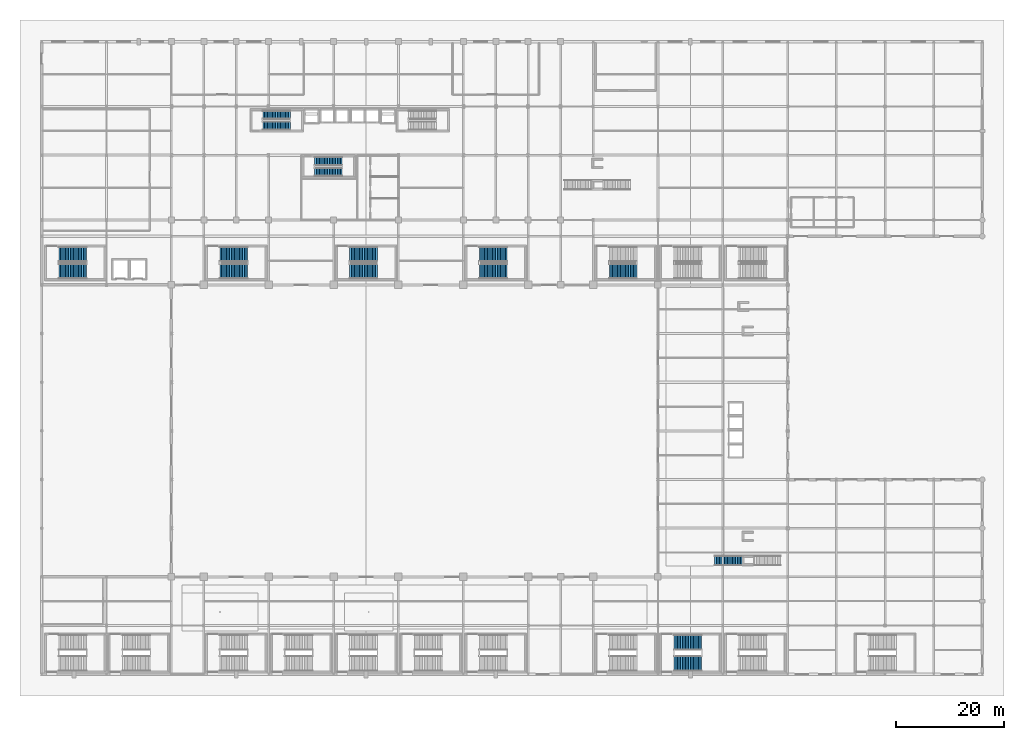
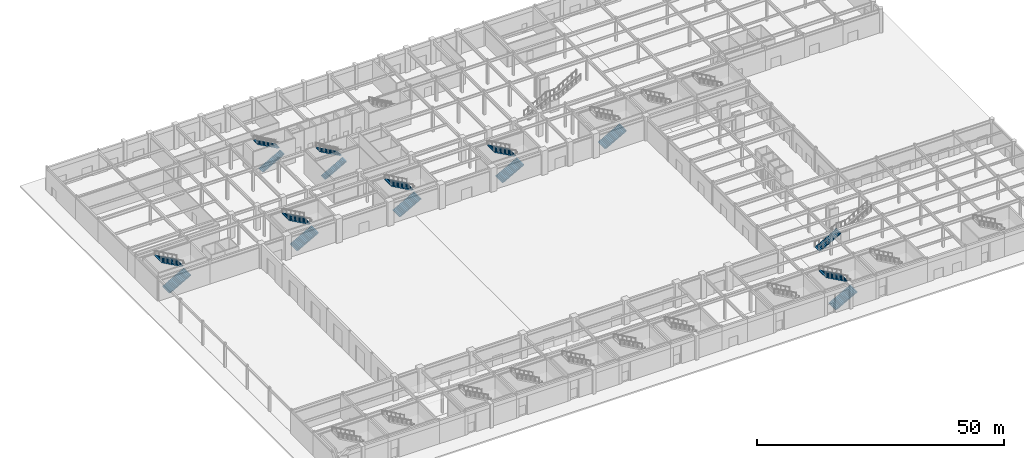
# One storey, part 32 of 44: 16 stair flights, 9 elements without a shape of their own.
"""IFC4 building model written with IfcOpenShell, lengths in metres."""

import ifcopenshell
import ifcopenshell.guid

model = None  # the IFC model being written
_history = None  # IfcOwnerHistory: only IFC2X3 demands one
_inside = {}  # id of a spatial element -> (the spatial element, [elements in it])
_under = {}  # id of a project, library or spatial element -> (it, [spatial elements below it])
_declared = {}  # id of a project -> (the project, [libraries it declares])
_typed = {}  # id of a type object -> (the type object, [elements of that type])
_made_of = {}  # id of a material, layer set ... -> (it, [elements and type objects made of it])


def new_model(schema):
    """Start an empty IFC model of exactly this schema.

    Asked for "IFC4X3", IfcOpenShell would pick the latest addendum, in which some entities
    have other attributes; the version numbers below select the first issue.
    IFC2X3 requires an IfcOwnerHistory on every rooted entity: one is made here for all.
    """
    global model, _history
    if schema == "IFC4X3":
        model = ifcopenshell.file(schema_version=(4, 3, 0, 0))
    else:
        model = ifcopenshell.file(schema=schema)
    _inside.clear()
    _under.clear()
    _declared.clear()
    _typed.clear()
    _made_of.clear()
    _history = None
    if model.schema == "IFC2X3":
        org = make("IfcOrganization", Name="unknown")
        user = make(
            "IfcPersonAndOrganization",
            ThePerson=make("IfcPerson", FamilyName="unknown"),
            TheOrganization=org,
        )
        app = make(
            "IfcApplication",
            ApplicationDeveloper=org,
            Version="unknown",
            ApplicationFullName="unknown",
            ApplicationIdentifier="unknown",
        )
        _history = make(
            "IfcOwnerHistory",
            OwningUser=user,
            OwningApplication=app,
            ChangeAction="ADDED",
            CreationDate=0,
        )
    return model


def make(cls, **values):
    """One entity of the class cls with the attributes given. An attribute that is None is left unset."""
    return model.create_entity(
        cls, **{name: value for name, value in values.items() if value is not None}
    )


def rooted(cls, **values):
    """An entity with a GlobalId (a new one), such as an element, a storey or a relation."""
    return make(cls, GlobalId=ifcopenshell.guid.new(), OwnerHistory=_history, **values)


def si_unit(unit_type, name, prefix=None):
    """IfcSIUnit, for example si_unit("LENGTHUNIT", "METRE", prefix="MILLI")."""
    return make("IfcSIUnit", UnitType=unit_type, Prefix=prefix, Name=name)


def assignment(units):
    """IfcUnitAssignment: the units of a project."""
    return None if units is None else make("IfcUnitAssignment", Units=units)


def point(xyz):
    """IfcCartesianPoint."""
    return None if xyz is None else make("IfcCartesianPoint", Coordinates=xyz)


def direction(xyz):
    """IfcDirection."""
    return None if xyz is None else make("IfcDirection", DirectionRatios=xyz)


def frame(location, z_axis=None, x_axis=None):
    """IfcAxis2Placement3D, a coordinate frame: its origin and axes. An axis left out is left unset."""
    return make(
        "IfcAxis2Placement3D",
        Location=point(location),
        Axis=direction(z_axis),
        RefDirection=direction(x_axis),
    )


def origin():
    """The frame at (0, 0, 0) with its axes left unset."""
    return frame((0.0, 0.0, 0.0))


def place(relative_to, where):
    """IfcLocalPlacement: puts the frame where relative to a parent placement (None: the world)."""
    return make(
        "IfcLocalPlacement", PlacementRelTo=relative_to, RelativePlacement=where
    )


def context(
    kind, dimensions, precision=None, world=None, true_north=None, identifier=None
):
    """IfcGeometricRepresentationContext, for example the 3D "Model" context."""
    return make(
        "IfcGeometricRepresentationContext",
        ContextIdentifier=identifier,
        ContextType=kind,
        CoordinateSpaceDimension=dimensions,
        Precision=precision,
        WorldCoordinateSystem=world,
        TrueNorth=true_north,
    )


def subcontext(parent, identifier, kind, view, scale=None):
    """IfcGeometricRepresentationSubContext, for example "Body" below "Model"."""
    return make(
        "IfcGeometricRepresentationSubContext",
        ContextIdentifier=identifier,
        ContextType=kind,
        ParentContext=parent,
        TargetScale=scale,
        TargetView=view,
    )


def project(units=None, contexts=None):
    """IfcProject with its units and contexts."""
    return rooted(
        "IfcProject",
        Name="project",
        RepresentationContexts=contexts,
        UnitsInContext=assignment(units),
    )


def spatial(cls, under=None, at=None, **own):
    """A site, building, storey or space (cls), placed at a placement, below another one or the project."""
    s = rooted(cls, ObjectPlacement=at, **own)
    if under is not None:
        _under.setdefault(under.id(), (under, []))[1].append(s)
    return s


def polyline(points):
    """IfcPolyline through the points."""
    return make("IfcPolyline", Points=[point(p) for p in points])


def outline(outer, holes=None, kind="AREA"):
    """IfcArbitraryClosedProfileDef: a profile drawn as a closed curve; with holes, ...WithVoids."""
    if holes is None:
        return make("IfcArbitraryClosedProfileDef", ProfileType=kind, OuterCurve=outer)
    return make(
        "IfcArbitraryProfileDefWithVoids",
        ProfileType=kind,
        OuterCurve=outer,
        InnerCurves=holes,
    )


def extrude(swept, where, along, depth):
    """IfcExtrudedAreaSolid: the profile swept, set in the frame where, extruded along a direction by depth."""
    return make(
        "IfcExtrudedAreaSolid",
        SweptArea=swept,
        Position=where,
        ExtrudedDirection=direction(along),
        Depth=depth,
    )


def shape(context_of_items, identifier, shape_type, items):
    """IfcShapeRepresentation: the items that make up one representation, for example the "Body"."""
    return make(
        "IfcShapeRepresentation",
        ContextOfItems=context_of_items,
        RepresentationIdentifier=identifier,
        RepresentationType=shape_type,
        Items=items,
    )


def material(Name=None, Category=None):
    """IfcMaterial."""
    return make("IfcMaterial", Name=Name, Category=Category)


def made_of(thing, what):
    """Note that an element or type object is made of a material, layer set ...; save() writes the relation."""
    if what is not None:
        _made_of.setdefault(what.id(), (what, []))[1].append(thing)
    return thing


def type_object(cls, material=None, **own):
    """A type object (cls), such as IfcWallType, which elements share."""
    return made_of(rooted(cls, **own), material)


def element(
    cls,
    number,
    at=None,
    inside=None,
    cuts=None,
    type_object=None,
    material=None,
    context=None,
    identifier="Body",
    shape_type=None,
    held_by="IfcProductDefinitionShape",
    body=None,
    shapes=None,
    **own,
):
    """One element of the class cls, such as IfcWall. Its Tag is "e" and its number.

    at: its placement. inside: the storey or other place that contains it. cuts: it is an
    opening in that element (IfcRelVoidsElement). A single representation is given by context,
    identifier, shape_type and body (its items); several are given by shapes. held_by: the class
    of the entity that holds the representations. save() writes the other relations.
    """
    e = rooted(cls, Tag="e%d" % number, ObjectPlacement=at, **own)
    if body is not None:
        shapes = [shape(context, identifier, shape_type, body)]
    if shapes is not None:
        e.Representation = make(held_by, Representations=shapes)
    if inside is not None:
        _inside.setdefault(inside.id(), (inside, []))[1].append(e)
    if cuts is not None:
        rooted(
            "IfcRelVoidsElement", RelatingBuildingElement=cuts, RelatedOpeningElement=e
        )
    if type_object is not None:
        _typed.setdefault(type_object.id(), (type_object, []))[1].append(e)
    return made_of(e, material)


def aggregate(whole, parts):
    """IfcRelAggregates: a whole, such as a stair, and the parts it consists of."""
    return rooted("IfcRelAggregates", RelatingObject=whole, RelatedObjects=parts)


def save(model, path):
    """Write the relations noted so far, then the file.

    IfcRelAggregates (storeys below a building ...), IfcRelContainedInSpatialStructure (elements
    in a storey), IfcRelDefinesByType, IfcRelAssociatesMaterial and IfcRelDeclares: one each for
    every whole, place, type object, material and project.
    """
    for whole, parts in _under.values():
        aggregate(whole, parts)
    for where, things in _inside.values():
        rooted(
            "IfcRelContainedInSpatialStructure",
            RelatedElements=things,
            RelatingStructure=where,
        )
    for kind, things in _typed.values():
        rooted("IfcRelDefinesByType", RelatedObjects=things, RelatingType=kind)
    for what, things in _made_of.values():
        rooted("IfcRelAssociatesMaterial", RelatedObjects=things, RelatingMaterial=what)
    for by, libraries in _declared.values():
        rooted("IfcRelDeclares", RelatingContext=by, RelatedDefinitions=libraries)
    model.write(path)


model = new_model("IFC4")

# Units and contexts
model_context = context("Model", 3, precision=1e-05, world=origin(), true_north=direction((0.0, 1.0)))
body_context = subcontext(model_context, "Body", "Model", "MODEL_VIEW")
ifc_project = project(units=[si_unit("LENGTHUNIT", "METRE"), si_unit("AREAUNIT", "SQUARE_METRE"), si_unit("VOLUMEUNIT", "CUBIC_METRE"), si_unit("PLANEANGLEUNIT", "RADIAN"), si_unit("MASSUNIT", "GRAM", prefix="KILO")], contexts=[model_context])

# Site, building, storey
site_placement = place(None, origin())
site = spatial("IfcSite", under=ifc_project, at=site_placement, CompositionType="ELEMENT")
building_placement = place(site_placement, origin())
building = spatial("IfcBuilding", under=site, at=building_placement, Name="Kaldorvane Square Convention Centre", CompositionType="ELEMENT")
storey_placement = place(building_placement, origin())
storey = spatial("IfcBuildingStorey", under=building, at=storey_placement, Name="L00", CompositionType="ELEMENT", Elevation=0.0)

# Stair, stair flight
ifc_material_1 = material(Name="Steel ASTM A500 Gr. C", Category="steel")
stair_type_1 = type_object("IfcStairType", Name="ST-STR-1800-6000", PredefinedType="STRAIGHT_RUN_STAIR", material=ifc_material_1)
stair_1_placement = place(storey_placement, origin())
stair_1 = element("IfcStair", 1, at=stair_1_placement, inside=storey, type_object=stair_type_1, Name="East Foyer Grand Stair F1 (L00)", PredefinedType="STRAIGHT_RUN_STAIR")
stair_flight_type_1 = type_object("IfcStairFlightType", Name="SF-FEAT-1800-18R", PredefinedType="STRAIGHT", material=ifc_material_1)
stair_flight_1_placement = place(storey_placement, frame((124.47999572753906, 21.0, 0.0), z_axis=(0.0, 0.0, 1.0), x_axis=(1.0, 0.0, 0.0)))
stair_flight_1 = element("IfcStairFlight", 2, at=stair_flight_1_placement, type_object=stair_flight_type_1, Name="East Foyer Grand Stair F1 Lower Flight (L00)", NumberOfRisers=18, NumberOfTreads=17, PredefinedType="STRAIGHT", RiserHeight=0.166666667, TreadLength=0.3, context=body_context, shape_type="SweptSolid", body=[
    extrude(outline(polyline([(0.0, 0.0), (0.0, 0.1666717529296875), (0.3000030517578125, 0.1666717529296875), (0.3000030517578125, 0.3333282470703125), (0.600006103515625, 0.3333282470703125), (0.600006103515625, 0.5), (0.899993896484375, 0.5), (0.899993896484375, 0.6666717529296875), (1.1999969482421875, 0.6666717529296875), (1.1999969482421875, 0.8333282470703125), (1.5, 0.8333282470703125), (1.5, 1.0), (1.8000030517578125, 1.0), (1.8000030517578125, 1.1666717529296875), (2.100006103515625, 1.1666717529296875), (2.100006103515625, 1.3333282470703125), (2.399993896484375, 1.3333282470703125), (2.399993896484375, 1.5), (2.6999969482421875, 1.5), (2.6999969482421875, 1.6666717529296875), (3.0, 1.6666717529296875), (3.0, 1.8333282470703125), (3.3000030517578125, 1.8333282470703125), (3.3000030517578125, 2.0), (3.600006103515625, 2.0), (3.600006103515625, 2.1666717529296875), (3.899993896484375, 2.1666717529296875), (3.899993896484375, 2.3333282470703125), (4.1999969482421875, 2.3333282470703125), (4.1999969482421875, 2.5), (4.5, 2.5), (4.5, 2.6666717529296875), (4.8000030517578125, 2.6666717529296875), (4.8000030517578125, 2.8333282470703125), (5.100006103515625, 2.8333282470703125), (5.100006103515625, 3.0), (5.100006103515625, 2.6045379638671875), (0.4118194580078125, 0.0), (0.0, 0.0)])), frame((0.0, 0.899993896484375, 0.0), z_axis=(0.0, -1.0, 0.0), x_axis=(1.0, 0.0, 0.0)), (0.0, 0.0, 1.0), 1.8000030517578125),
])
aggregate(stair_1, [stair_flight_1])

# Stair, stair flights
ifc_material_2 = material(Name="Concrete f'c = 42 MPa (Normalweight)", Category="concrete")
stair_type_2 = type_object("IfcStairType", Name="ST-DL-1600-6000", PredefinedType="HALF_TURN_STAIR", material=ifc_material_2)
stair_2_placement = place(storey_placement, origin())
stair_2 = element("IfcStair", 3, at=stair_2_placement, inside=storey, type_object=stair_type_2, Name="Tower Exit Stair T1 (L00)", PredefinedType="HALF_TURN_STAIR")
stair_flight_type_2 = type_object("IfcStairFlightType", Name="SF-STR-1600-18R", PredefinedType="STRAIGHT", material=ifc_material_2)
stair_flight_2_placement = place(storey_placement, frame((40.899993896484375, 101.41000366210938, 0.0), z_axis=(0.0, 0.0, 1.0), x_axis=(1.0, 0.0, 0.0)))
stair_flight_2 = element("IfcStairFlight", 4, at=stair_flight_2_placement, type_object=stair_flight_type_2, Name="Tower Exit Stair T1 Flight 1 (L00)", NumberOfRisers=18, NumberOfTreads=17, PredefinedType="STRAIGHT", RiserHeight=0.166666667, TreadLength=0.3, context=body_context, shape_type="SweptSolid", body=[
    extrude(outline(polyline([(0.0, 0.0), (0.0, 0.1666717529296875), (0.3000030517578125, 0.1666717529296875), (0.3000030517578125, 0.3333282470703125), (0.600006103515625, 0.3333282470703125), (0.600006103515625, 0.5), (0.899993896484375, 0.5), (0.899993896484375, 0.6666717529296875), (1.1999969482421875, 0.6666717529296875), (1.1999969482421875, 0.8333282470703125), (1.5, 0.8333282470703125), (1.5, 1.0), (1.8000030517578125, 1.0), (1.8000030517578125, 1.1666717529296875), (2.100006103515625, 1.1666717529296875), (2.100006103515625, 1.3333282470703125), (2.399993896484375, 1.3333282470703125), (2.399993896484375, 1.5), (2.6999969482421875, 1.5), (2.6999969482421875, 1.6666717529296875), (3.0, 1.6666717529296875), (3.0, 1.8333282470703125), (3.3000030517578125, 1.8333282470703125), (3.3000030517578125, 2.0), (3.600006103515625, 2.0), (3.600006103515625, 2.1666717529296875), (3.899993896484375, 2.1666717529296875), (3.899993896484375, 2.3333282470703125), (4.1999969482421875, 2.3333282470703125), (4.1999969482421875, 2.5), (4.5, 2.5), (4.5, 2.6666717529296875), (4.8000030517578125, 2.6666717529296875), (4.8000030517578125, 2.8333282470703125), (5.100006103515625, 2.8333282470703125), (5.100006103515625, 3.0), (5.100006103515625, 2.6045379638671875), (0.4118194580078125, 0.0), (0.0, 0.0)])), frame((0.0, 0.8000030517578125, 0.0), z_axis=(0.0, -1.0, 0.0), x_axis=(1.0, 0.0, 0.0)), (0.0, 0.0, 1.0), 1.600006103515625),
])
stair_flight_3_placement = place(storey_placement, frame((46.0, 103.44999694824219, 3.0), z_axis=(0.0, 0.0, 1.0), x_axis=(-1.0, 0.0, 0.0)))
stair_flight_3 = element("IfcStairFlight", 5, at=stair_flight_3_placement, type_object=stair_flight_type_2, Name="Tower Exit Stair T1 Flight 2 (L00)", NumberOfRisers=18, NumberOfTreads=17, PredefinedType="STRAIGHT", RiserHeight=0.166666667, TreadLength=0.3, context=body_context, shape_type="SweptSolid", body=[
    extrude(outline(polyline([(0.0, 0.0), (0.0, 0.1666717529296875), (0.3000030517578125, 0.1666717529296875), (0.3000030517578125, 0.3333282470703125), (0.600006103515625, 0.3333282470703125), (0.600006103515625, 0.5), (0.899993896484375, 0.5), (0.899993896484375, 0.6666717529296875), (1.1999969482421875, 0.6666717529296875), (1.1999969482421875, 0.8333282470703125), (1.5, 0.8333282470703125), (1.5, 1.0), (1.8000030517578125, 1.0), (1.8000030517578125, 1.1666717529296875), (2.100006103515625, 1.1666717529296875), (2.100006103515625, 1.3333282470703125), (2.399993896484375, 1.3333282470703125), (2.399993896484375, 1.5), (2.6999969482421875, 1.5), (2.6999969482421875, 1.6666717529296875), (3.0, 1.6666717529296875), (3.0, 1.8333282470703125), (3.3000030517578125, 1.8333282470703125), (3.3000030517578125, 2.0), (3.600006103515625, 2.0), (3.600006103515625, 2.1666717529296875), (3.899993896484375, 2.1666717529296875), (3.899993896484375, 2.3333282470703125), (4.1999969482421875, 2.3333282470703125), (4.1999969482421875, 2.5), (4.5, 2.5), (4.5, 2.6666717529296875), (4.8000030517578125, 2.6666717529296875), (4.8000030517578125, 2.8333282470703125), (5.100006103515625, 2.8333282470703125), (5.100006103515625, 3.0), (5.100006103515625, 2.6045379638671875), (0.4118194580078125, 0.0), (0.0, 0.0)])), frame((0.0, 0.8000030517578125, 0.0), z_axis=(0.0, -1.0, 0.0), x_axis=(1.0, 0.0, 0.0)), (0.0, 0.0, 1.0), 1.600006103515625),
])
aggregate(stair_2, [stair_flight_2, stair_flight_3])

stair_3_placement = place(storey_placement, origin())
stair_3 = element("IfcStair", 6, at=stair_3_placement, inside=storey, type_object=stair_type_2, Name="Tower Exit Stair T3 (L00)", PredefinedType="HALF_TURN_STAIR")
stair_flight_4_placement = place(storey_placement, frame((50.5, 92.86000061035156, 0.0), z_axis=(0.0, 0.0, 1.0), x_axis=(1.0, 0.0, 0.0)))
stair_flight_4 = element("IfcStairFlight", 7, at=stair_flight_4_placement, type_object=stair_flight_type_2, Name="Tower Exit Stair T3 Flight 1 (L00)", NumberOfRisers=18, NumberOfTreads=17, PredefinedType="STRAIGHT", RiserHeight=0.166666667, TreadLength=0.3, context=body_context, shape_type="SweptSolid", body=[
    extrude(outline(polyline([(0.0, 0.0), (0.0, 0.1666717529296875), (0.3000030517578125, 0.1666717529296875), (0.3000030517578125, 0.3333282470703125), (0.600006103515625, 0.3333282470703125), (0.600006103515625, 0.5), (0.899993896484375, 0.5), (0.899993896484375, 0.6666717529296875), (1.1999969482421875, 0.6666717529296875), (1.1999969482421875, 0.8333282470703125), (1.5, 0.8333282470703125), (1.5, 1.0), (1.8000030517578125, 1.0), (1.8000030517578125, 1.1666717529296875), (2.100006103515625, 1.1666717529296875), (2.100006103515625, 1.3333282470703125), (2.399993896484375, 1.3333282470703125), (2.399993896484375, 1.5), (2.6999969482421875, 1.5), (2.6999969482421875, 1.6666717529296875), (3.0, 1.6666717529296875), (3.0, 1.8333282470703125), (3.3000030517578125, 1.8333282470703125), (3.3000030517578125, 2.0), (3.600006103515625, 2.0), (3.600006103515625, 2.1666717529296875), (3.899993896484375, 2.1666717529296875), (3.899993896484375, 2.3333282470703125), (4.1999969482421875, 2.3333282470703125), (4.1999969482421875, 2.5), (4.5, 2.5), (4.5, 2.6666717529296875), (4.8000030517578125, 2.6666717529296875), (4.8000030517578125, 2.8333282470703125), (5.100006103515625, 2.8333282470703125), (5.100006103515625, 3.0), (5.100006103515625, 2.6045379638671875), (0.4118194580078125, 0.0), (0.0, 0.0)])), frame((0.0, 0.8000030517578125, 0.0), z_axis=(0.0, -1.0, 0.0), x_axis=(1.0, 0.0, 0.0)), (0.0, 0.0, 1.0), 1.600006103515625),
])
stair_flight_5_placement = place(storey_placement, frame((55.600006103515625, 94.89999389648438, 3.0), z_axis=(0.0, 0.0, 1.0), x_axis=(-1.0, 0.0, 0.0)))
stair_flight_5 = element("IfcStairFlight", 8, at=stair_flight_5_placement, type_object=stair_flight_type_2, Name="Tower Exit Stair T3 Flight 2 (L00)", NumberOfRisers=18, NumberOfTreads=17, PredefinedType="STRAIGHT", RiserHeight=0.166666667, TreadLength=0.3, context=body_context, shape_type="SweptSolid", body=[
    extrude(outline(polyline([(0.0, 0.0), (0.0, 0.1666717529296875), (0.3000030517578125, 0.1666717529296875), (0.3000030517578125, 0.3333282470703125), (0.600006103515625, 0.3333282470703125), (0.600006103515625, 0.5), (0.899993896484375, 0.5), (0.899993896484375, 0.6666717529296875), (1.1999969482421875, 0.6666717529296875), (1.1999969482421875, 0.8333282470703125), (1.5, 0.8333282470703125), (1.5, 1.0), (1.8000030517578125, 1.0), (1.8000030517578125, 1.1666717529296875), (2.100006103515625, 1.1666717529296875), (2.100006103515625, 1.3333282470703125), (2.399993896484375, 1.3333282470703125), (2.399993896484375, 1.5), (2.6999969482421875, 1.5), (2.6999969482421875, 1.6666717529296875), (3.0, 1.6666717529296875), (3.0, 1.8333282470703125), (3.3000030517578125, 1.8333282470703125), (3.3000030517578125, 2.0), (3.600006103515625, 2.0), (3.600006103515625, 2.1666717529296875), (3.899993896484375, 2.1666717529296875), (3.899993896484375, 2.3333282470703125), (4.1999969482421875, 2.3333282470703125), (4.1999969482421875, 2.5), (4.5, 2.5), (4.5, 2.6666717529296875), (4.8000030517578125, 2.6666717529296875), (4.8000030517578125, 2.8333282470703125), (5.100006103515625, 2.8333282470703125), (5.100006103515625, 3.0), (5.100006103515625, 2.6045379638671875), (0.4118194580078125, 0.0), (0.0, 0.0)])), frame((0.0, 0.8000030517578125, 0.0), z_axis=(0.0, -1.0, 0.0), x_axis=(1.0, 0.0, 0.0)), (0.0, 0.0, 1.0), 1.600006103515625),
])
aggregate(stair_3, [stair_flight_4, stair_flight_5])

stair_type_3 = type_object("IfcStairType", Name="ST-DL-2800-6000-D6710", PredefinedType="HALF_TURN_STAIR", material=ifc_material_2)
stair_4_placement = place(storey_placement, origin())
stair_4 = element("IfcStair", 9, at=stair_4_placement, inside=storey, type_object=stair_type_3, Name="Convention Exit Stair C9 (L00)", PredefinedType="HALF_TURN_STAIR")
stair_flight_type_3 = type_object("IfcStairFlightType", Name="SF-STR-2800-18R", PredefinedType="STRAIGHT", material=ifc_material_2)
stair_flight_6_placement = place(storey_placement, frame((116.99000549316406, 1.9499969482421875, 0.0), z_axis=(0.0, 0.0, 1.0), x_axis=(1.0, 0.0, 0.0)))
stair_flight_6 = element("IfcStairFlight", 10, at=stair_flight_6_placement, type_object=stair_flight_type_3, Name="Convention Exit Stair C9 Flight 1 (L00)", NumberOfRisers=18, NumberOfTreads=17, PredefinedType="STRAIGHT", RiserHeight=0.166666667, TreadLength=0.3, context=body_context, shape_type="SweptSolid", body=[
    extrude(outline(polyline([(0.0, 0.0), (0.0, 0.1666717529296875), (0.3000030517578125, 0.1666717529296875), (0.3000030517578125, 0.3333282470703125), (0.600006103515625, 0.3333282470703125), (0.600006103515625, 0.5), (0.899993896484375, 0.5), (0.899993896484375, 0.6666717529296875), (1.1999969482421875, 0.6666717529296875), (1.1999969482421875, 0.8333282470703125), (1.5, 0.8333282470703125), (1.5, 1.0), (1.8000030517578125, 1.0), (1.8000030517578125, 1.1666717529296875), (2.100006103515625, 1.1666717529296875), (2.100006103515625, 1.3333282470703125), (2.399993896484375, 1.3333282470703125), (2.399993896484375, 1.5), (2.6999969482421875, 1.5), (2.6999969482421875, 1.6666717529296875), (3.0, 1.6666717529296875), (3.0, 1.8333282470703125), (3.3000030517578125, 1.8333282470703125), (3.3000030517578125, 2.0), (3.600006103515625, 2.0), (3.600006103515625, 2.1666717529296875), (3.899993896484375, 2.1666717529296875), (3.899993896484375, 2.3333282470703125), (4.1999969482421875, 2.3333282470703125), (4.1999969482421875, 2.5), (4.5, 2.5), (4.5, 2.6666717529296875), (4.8000030517578125, 2.6666717529296875), (4.8000030517578125, 2.8333282470703125), (5.100006103515625, 2.8333282470703125), (5.100006103515625, 3.0), (5.100006103515625, 2.6045379638671875), (0.4118194580078125, 0.0), (0.0, 0.0)])), frame((0.0, 1.399993896484375, 0.0), z_axis=(0.0, -1.0, 0.0), x_axis=(1.0, 0.0, 0.0)), (0.0, 0.0, 1.0), 2.8000030517578125),
])
stair_flight_7_placement = place(storey_placement, frame((122.08999633789062, 5.8600006103515625, 3.0), z_axis=(0.0, 0.0, 1.0), x_axis=(-1.0, 0.0, 0.0)))
stair_flight_7 = element("IfcStairFlight", 11, at=stair_flight_7_placement, type_object=stair_flight_type_3, Name="Convention Exit Stair C9 Flight 2 (L00)", NumberOfRisers=18, NumberOfTreads=17, PredefinedType="STRAIGHT", RiserHeight=0.166666667, TreadLength=0.3, context=body_context, shape_type="SweptSolid", body=[
    extrude(outline(polyline([(0.0, 0.0), (0.0, 0.1666717529296875), (0.3000030517578125, 0.1666717529296875), (0.3000030517578125, 0.3333282470703125), (0.600006103515625, 0.3333282470703125), (0.600006103515625, 0.5), (0.899993896484375, 0.5), (0.899993896484375, 0.6666717529296875), (1.1999969482421875, 0.6666717529296875), (1.1999969482421875, 0.8333282470703125), (1.5, 0.8333282470703125), (1.5, 1.0), (1.8000030517578125, 1.0), (1.8000030517578125, 1.1666717529296875), (2.100006103515625, 1.1666717529296875), (2.100006103515625, 1.3333282470703125), (2.399993896484375, 1.3333282470703125), (2.399993896484375, 1.5), (2.6999969482421875, 1.5), (2.6999969482421875, 1.6666717529296875), (3.0, 1.6666717529296875), (3.0, 1.8333282470703125), (3.3000030517578125, 1.8333282470703125), (3.3000030517578125, 2.0), (3.600006103515625, 2.0), (3.600006103515625, 2.1666717529296875), (3.899993896484375, 2.1666717529296875), (3.899993896484375, 2.3333282470703125), (4.1999969482421875, 2.3333282470703125), (4.1999969482421875, 2.5), (4.5, 2.5), (4.5, 2.6666717529296875), (4.8000030517578125, 2.6666717529296875), (4.8000030517578125, 2.8333282470703125), (5.100006103515625, 2.8333282470703125), (5.100006103515625, 3.0), (5.100006103515625, 2.6045379638671875), (0.4118194580078125, 0.0), (0.0, 0.0)])), frame((0.0, 1.399993896484375, 0.0), z_axis=(0.0, -1.0, 0.0), x_axis=(1.0, 0.0, 0.0)), (0.0, 0.0, 1.0), 2.8000030517578125),
])
aggregate(stair_4, [stair_flight_6, stair_flight_7])

stair_type_4 = type_object("IfcStairType", Name="ST-DL-2800-6000", PredefinedType="HALF_TURN_STAIR", material=ifc_material_2)
stair_5_placement = place(storey_placement, origin())
stair_5 = element("IfcStair", 12, at=stair_5_placement, inside=storey, type_object=stair_type_4, Name="Convention Exit Stair C12 (L00)", PredefinedType="HALF_TURN_STAIR")
stair_flight_8_placement = place(storey_placement, frame((3.2100067138671875, 74.5, 0.0), z_axis=(0.0, 0.0, 1.0), x_axis=(1.0, 0.0, 0.0)))
stair_flight_8 = element("IfcStairFlight", 13, at=stair_flight_8_placement, type_object=stair_flight_type_3, Name="Convention Exit Stair C12 Flight 1 (L00)", NumberOfRisers=18, NumberOfTreads=17, PredefinedType="STRAIGHT", RiserHeight=0.166666667, TreadLength=0.3, context=body_context, shape_type="SweptSolid", body=[
    extrude(outline(polyline([(0.0, 0.0), (0.0, 0.1666717529296875), (0.3000030517578125, 0.1666717529296875), (0.3000030517578125, 0.3333282470703125), (0.600006103515625, 0.3333282470703125), (0.600006103515625, 0.5), (0.899993896484375, 0.5), (0.899993896484375, 0.6666717529296875), (1.1999969482421875, 0.6666717529296875), (1.1999969482421875, 0.8333282470703125), (1.5, 0.8333282470703125), (1.5, 1.0), (1.8000030517578125, 1.0), (1.8000030517578125, 1.1666717529296875), (2.100006103515625, 1.1666717529296875), (2.100006103515625, 1.3333282470703125), (2.399993896484375, 1.3333282470703125), (2.399993896484375, 1.5), (2.6999969482421875, 1.5), (2.6999969482421875, 1.6666717529296875), (3.0, 1.6666717529296875), (3.0, 1.8333282470703125), (3.3000030517578125, 1.8333282470703125), (3.3000030517578125, 2.0), (3.600006103515625, 2.0), (3.600006103515625, 2.1666717529296875), (3.899993896484375, 2.1666717529296875), (3.899993896484375, 2.3333282470703125), (4.1999969482421875, 2.3333282470703125), (4.1999969482421875, 2.5), (4.5, 2.5), (4.5, 2.6666717529296875), (4.8000030517578125, 2.6666717529296875), (4.8000030517578125, 2.8333282470703125), (5.100006103515625, 2.8333282470703125), (5.100006103515625, 3.0), (5.100006103515625, 2.6045379638671875), (0.4118194580078125, 0.0), (0.0, 0.0)])), frame((0.0, 1.399993896484375, 0.0), z_axis=(0.0, -1.0, 0.0), x_axis=(1.0, 0.0, 0.0)), (0.0, 0.0, 1.0), 2.8000030517578125),
])
stair_flight_9_placement = place(storey_placement, frame((8.30999755859375, 77.66000366210938, 3.0), z_axis=(0.0, 0.0, 1.0), x_axis=(-1.0, 0.0, 0.0)))
stair_flight_9 = element("IfcStairFlight", 14, at=stair_flight_9_placement, type_object=stair_flight_type_3, Name="Convention Exit Stair C12 Flight 2 (L00)", NumberOfRisers=18, NumberOfTreads=17, PredefinedType="STRAIGHT", RiserHeight=0.166666667, TreadLength=0.3, context=body_context, shape_type="SweptSolid", body=[
    extrude(outline(polyline([(0.0, 0.0), (0.0, 0.1666717529296875), (0.3000030517578125, 0.1666717529296875), (0.3000030517578125, 0.3333282470703125), (0.600006103515625, 0.3333282470703125), (0.600006103515625, 0.5), (0.899993896484375, 0.5), (0.899993896484375, 0.6666717529296875), (1.1999969482421875, 0.6666717529296875), (1.1999969482421875, 0.8333282470703125), (1.5, 0.8333282470703125), (1.5, 1.0), (1.8000030517578125, 1.0), (1.8000030517578125, 1.1666717529296875), (2.100006103515625, 1.1666717529296875), (2.100006103515625, 1.3333282470703125), (2.399993896484375, 1.3333282470703125), (2.399993896484375, 1.5), (2.6999969482421875, 1.5), (2.6999969482421875, 1.6666717529296875), (3.0, 1.6666717529296875), (3.0, 1.8333282470703125), (3.3000030517578125, 1.8333282470703125), (3.3000030517578125, 2.0), (3.600006103515625, 2.0), (3.600006103515625, 2.1666717529296875), (3.899993896484375, 2.1666717529296875), (3.899993896484375, 2.3333282470703125), (4.1999969482421875, 2.3333282470703125), (4.1999969482421875, 2.5), (4.5, 2.5), (4.5, 2.6666717529296875), (4.8000030517578125, 2.6666717529296875), (4.8000030517578125, 2.8333282470703125), (5.100006103515625, 2.8333282470703125), (5.100006103515625, 3.0), (5.100006103515625, 2.6045379638671875), (0.4118194580078125, 0.0), (0.0, 0.0)])), frame((0.0, 1.399993896484375, 0.0), z_axis=(0.0, -1.0, 0.0), x_axis=(1.0, 0.0, 0.0)), (0.0, 0.0, 1.0), 2.8000030517578125),
])
aggregate(stair_5, [stair_flight_8, stair_flight_9])

stair_6_placement = place(storey_placement, origin())
stair_6 = element("IfcStair", 15, at=stair_6_placement, inside=storey, type_object=stair_type_4, Name="Convention Exit Stair C13 (L00)", PredefinedType="HALF_TURN_STAIR")
stair_flight_10_placement = place(storey_placement, frame((32.99000549316406, 74.5, 0.0), z_axis=(0.0, 0.0, 1.0), x_axis=(1.0, 0.0, 0.0)))
stair_flight_10 = element("IfcStairFlight", 16, at=stair_flight_10_placement, type_object=stair_flight_type_3, Name="Convention Exit Stair C13 Flight 1 (L00)", NumberOfRisers=18, NumberOfTreads=17, PredefinedType="STRAIGHT", RiserHeight=0.166666667, TreadLength=0.3, context=body_context, shape_type="SweptSolid", body=[
    extrude(outline(polyline([(0.0, 0.0), (0.0, 0.1666717529296875), (0.3000030517578125, 0.1666717529296875), (0.3000030517578125, 0.3333282470703125), (0.600006103515625, 0.3333282470703125), (0.600006103515625, 0.5), (0.899993896484375, 0.5), (0.899993896484375, 0.6666717529296875), (1.1999969482421875, 0.6666717529296875), (1.1999969482421875, 0.8333282470703125), (1.5, 0.8333282470703125), (1.5, 1.0), (1.8000030517578125, 1.0), (1.8000030517578125, 1.1666717529296875), (2.100006103515625, 1.1666717529296875), (2.100006103515625, 1.3333282470703125), (2.399993896484375, 1.3333282470703125), (2.399993896484375, 1.5), (2.6999969482421875, 1.5), (2.6999969482421875, 1.6666717529296875), (3.0, 1.6666717529296875), (3.0, 1.8333282470703125), (3.3000030517578125, 1.8333282470703125), (3.3000030517578125, 2.0), (3.600006103515625, 2.0), (3.600006103515625, 2.1666717529296875), (3.899993896484375, 2.1666717529296875), (3.899993896484375, 2.3333282470703125), (4.1999969482421875, 2.3333282470703125), (4.1999969482421875, 2.5), (4.5, 2.5), (4.5, 2.6666717529296875), (4.8000030517578125, 2.6666717529296875), (4.8000030517578125, 2.8333282470703125), (5.100006103515625, 2.8333282470703125), (5.100006103515625, 3.0), (5.100006103515625, 2.6045379638671875), (0.4118194580078125, 0.0), (0.0, 0.0)])), frame((0.0, 1.399993896484375, 0.0), z_axis=(0.0, -1.0, 0.0), x_axis=(1.0, 0.0, 0.0)), (0.0, 0.0, 1.0), 2.8000030517578125),
])
stair_flight_11_placement = place(storey_placement, frame((38.089996337890625, 77.66000366210938, 3.0), z_axis=(0.0, 0.0, 1.0), x_axis=(-1.0, 0.0, 0.0)))
stair_flight_11 = element("IfcStairFlight", 17, at=stair_flight_11_placement, type_object=stair_flight_type_3, Name="Convention Exit Stair C13 Flight 2 (L00)", NumberOfRisers=18, NumberOfTreads=17, PredefinedType="STRAIGHT", RiserHeight=0.166666667, TreadLength=0.3, context=body_context, shape_type="SweptSolid", body=[
    extrude(outline(polyline([(0.0, 0.0), (0.0, 0.1666717529296875), (0.3000030517578125, 0.1666717529296875), (0.3000030517578125, 0.3333282470703125), (0.600006103515625, 0.3333282470703125), (0.600006103515625, 0.5), (0.899993896484375, 0.5), (0.899993896484375, 0.6666717529296875), (1.1999969482421875, 0.6666717529296875), (1.1999969482421875, 0.8333282470703125), (1.5, 0.8333282470703125), (1.5, 1.0), (1.8000030517578125, 1.0), (1.8000030517578125, 1.1666717529296875), (2.100006103515625, 1.1666717529296875), (2.100006103515625, 1.3333282470703125), (2.399993896484375, 1.3333282470703125), (2.399993896484375, 1.5), (2.6999969482421875, 1.5), (2.6999969482421875, 1.6666717529296875), (3.0, 1.6666717529296875), (3.0, 1.8333282470703125), (3.3000030517578125, 1.8333282470703125), (3.3000030517578125, 2.0), (3.600006103515625, 2.0), (3.600006103515625, 2.1666717529296875), (3.899993896484375, 2.1666717529296875), (3.899993896484375, 2.3333282470703125), (4.1999969482421875, 2.3333282470703125), (4.1999969482421875, 2.5), (4.5, 2.5), (4.5, 2.6666717529296875), (4.8000030517578125, 2.6666717529296875), (4.8000030517578125, 2.8333282470703125), (5.100006103515625, 2.8333282470703125), (5.100006103515625, 3.0), (5.100006103515625, 2.6045379638671875), (0.4118194580078125, 0.0), (0.0, 0.0)])), frame((0.0, 1.399993896484375, 0.0), z_axis=(0.0, -1.0, 0.0), x_axis=(1.0, 0.0, 0.0)), (0.0, 0.0, 1.0), 2.8000030517578125),
])
aggregate(stair_6, [stair_flight_10, stair_flight_11])

stair_7_placement = place(storey_placement, origin())
stair_7 = element("IfcStair", 18, at=stair_7_placement, inside=storey, type_object=stair_type_4, Name="Convention Exit Stair C14 (L00)", PredefinedType="HALF_TURN_STAIR")
stair_flight_12_placement = place(storey_placement, frame((56.99000549316406, 74.5, 0.0), z_axis=(0.0, 0.0, 1.0), x_axis=(1.0, 0.0, 0.0)))
stair_flight_12 = element("IfcStairFlight", 19, at=stair_flight_12_placement, type_object=stair_flight_type_3, Name="Convention Exit Stair C14 Flight 1 (L00)", NumberOfRisers=18, NumberOfTreads=17, PredefinedType="STRAIGHT", RiserHeight=0.166666667, TreadLength=0.3, context=body_context, shape_type="SweptSolid", body=[
    extrude(outline(polyline([(0.0, 0.0), (0.0, 0.1666717529296875), (0.3000030517578125, 0.1666717529296875), (0.3000030517578125, 0.3333282470703125), (0.600006103515625, 0.3333282470703125), (0.600006103515625, 0.5), (0.899993896484375, 0.5), (0.899993896484375, 0.6666717529296875), (1.1999969482421875, 0.6666717529296875), (1.1999969482421875, 0.8333282470703125), (1.5, 0.8333282470703125), (1.5, 1.0), (1.8000030517578125, 1.0), (1.8000030517578125, 1.1666717529296875), (2.100006103515625, 1.1666717529296875), (2.100006103515625, 1.3333282470703125), (2.399993896484375, 1.3333282470703125), (2.399993896484375, 1.5), (2.6999969482421875, 1.5), (2.6999969482421875, 1.6666717529296875), (3.0, 1.6666717529296875), (3.0, 1.8333282470703125), (3.3000030517578125, 1.8333282470703125), (3.3000030517578125, 2.0), (3.600006103515625, 2.0), (3.600006103515625, 2.1666717529296875), (3.899993896484375, 2.1666717529296875), (3.899993896484375, 2.3333282470703125), (4.1999969482421875, 2.3333282470703125), (4.1999969482421875, 2.5), (4.5, 2.5), (4.5, 2.6666717529296875), (4.8000030517578125, 2.6666717529296875), (4.8000030517578125, 2.8333282470703125), (5.100006103515625, 2.8333282470703125), (5.100006103515625, 3.0), (5.100006103515625, 2.6045379638671875), (0.4118194580078125, 0.0), (0.0, 0.0)])), frame((0.0, 1.399993896484375, 0.0), z_axis=(0.0, -1.0, 0.0), x_axis=(1.0, 0.0, 0.0)), (0.0, 0.0, 1.0), 2.8000030517578125),
])
stair_flight_13_placement = place(storey_placement, frame((62.089996337890625, 77.66000366210938, 3.0), z_axis=(0.0, 0.0, 1.0), x_axis=(-1.0, 0.0, 0.0)))
stair_flight_13 = element("IfcStairFlight", 20, at=stair_flight_13_placement, type_object=stair_flight_type_3, Name="Convention Exit Stair C14 Flight 2 (L00)", NumberOfRisers=18, NumberOfTreads=17, PredefinedType="STRAIGHT", RiserHeight=0.166666667, TreadLength=0.3, context=body_context, shape_type="SweptSolid", body=[
    extrude(outline(polyline([(0.0, 0.0), (0.0, 0.1666717529296875), (0.3000030517578125, 0.1666717529296875), (0.3000030517578125, 0.3333282470703125), (0.600006103515625, 0.3333282470703125), (0.600006103515625, 0.5), (0.899993896484375, 0.5), (0.899993896484375, 0.6666717529296875), (1.1999969482421875, 0.6666717529296875), (1.1999969482421875, 0.8333282470703125), (1.5, 0.8333282470703125), (1.5, 1.0), (1.8000030517578125, 1.0), (1.8000030517578125, 1.1666717529296875), (2.100006103515625, 1.1666717529296875), (2.100006103515625, 1.3333282470703125), (2.399993896484375, 1.3333282470703125), (2.399993896484375, 1.5), (2.6999969482421875, 1.5), (2.6999969482421875, 1.6666717529296875), (3.0, 1.6666717529296875), (3.0, 1.8333282470703125), (3.3000030517578125, 1.8333282470703125), (3.3000030517578125, 2.0), (3.600006103515625, 2.0), (3.600006103515625, 2.1666717529296875), (3.899993896484375, 2.1666717529296875), (3.899993896484375, 2.3333282470703125), (4.1999969482421875, 2.3333282470703125), (4.1999969482421875, 2.5), (4.5, 2.5), (4.5, 2.6666717529296875), (4.8000030517578125, 2.6666717529296875), (4.8000030517578125, 2.8333282470703125), (5.100006103515625, 2.8333282470703125), (5.100006103515625, 3.0), (5.100006103515625, 2.6045379638671875), (0.4118194580078125, 0.0), (0.0, 0.0)])), frame((0.0, 1.399993896484375, 0.0), z_axis=(0.0, -1.0, 0.0), x_axis=(1.0, 0.0, 0.0)), (0.0, 0.0, 1.0), 2.8000030517578125),
])
aggregate(stair_7, [stair_flight_12, stair_flight_13])

stair_8_placement = place(storey_placement, origin())
stair_8 = element("IfcStair", 21, at=stair_8_placement, inside=storey, type_object=stair_type_4, Name="Convention Exit Stair C15 (L00)", PredefinedType="HALF_TURN_STAIR")
stair_flight_14_placement = place(storey_placement, frame((80.99000549316406, 74.5, 0.0), z_axis=(0.0, 0.0, 1.0), x_axis=(1.0, 0.0, 0.0)))
stair_flight_14 = element("IfcStairFlight", 22, at=stair_flight_14_placement, type_object=stair_flight_type_3, Name="Convention Exit Stair C15 Flight 1 (L00)", NumberOfRisers=18, NumberOfTreads=17, PredefinedType="STRAIGHT", RiserHeight=0.166666667, TreadLength=0.3, context=body_context, shape_type="SweptSolid", body=[
    extrude(outline(polyline([(0.0, 0.0), (0.0, 0.1666717529296875), (0.3000030517578125, 0.1666717529296875), (0.3000030517578125, 0.3333282470703125), (0.600006103515625, 0.3333282470703125), (0.600006103515625, 0.5), (0.899993896484375, 0.5), (0.899993896484375, 0.6666717529296875), (1.1999969482421875, 0.6666717529296875), (1.1999969482421875, 0.8333282470703125), (1.5, 0.8333282470703125), (1.5, 1.0), (1.8000030517578125, 1.0), (1.8000030517578125, 1.1666717529296875), (2.100006103515625, 1.1666717529296875), (2.100006103515625, 1.3333282470703125), (2.399993896484375, 1.3333282470703125), (2.399993896484375, 1.5), (2.6999969482421875, 1.5), (2.6999969482421875, 1.6666717529296875), (3.0, 1.6666717529296875), (3.0, 1.8333282470703125), (3.3000030517578125, 1.8333282470703125), (3.3000030517578125, 2.0), (3.600006103515625, 2.0), (3.600006103515625, 2.1666717529296875), (3.899993896484375, 2.1666717529296875), (3.899993896484375, 2.3333282470703125), (4.1999969482421875, 2.3333282470703125), (4.1999969482421875, 2.5), (4.5, 2.5), (4.5, 2.6666717529296875), (4.8000030517578125, 2.6666717529296875), (4.8000030517578125, 2.8333282470703125), (5.100006103515625, 2.8333282470703125), (5.100006103515625, 3.0), (5.100006103515625, 2.6045379638671875), (0.4118194580078125, 0.0), (0.0, 0.0)])), frame((0.0, 1.399993896484375, 0.0), z_axis=(0.0, -1.0, 0.0), x_axis=(1.0, 0.0, 0.0)), (0.0, 0.0, 1.0), 2.8000030517578125),
])
stair_flight_15_placement = place(storey_placement, frame((86.08999633789062, 77.66000366210938, 3.0), z_axis=(0.0, 0.0, 1.0), x_axis=(-1.0, 0.0, 0.0)))
stair_flight_15 = element("IfcStairFlight", 23, at=stair_flight_15_placement, type_object=stair_flight_type_3, Name="Convention Exit Stair C15 Flight 2 (L00)", NumberOfRisers=18, NumberOfTreads=17, PredefinedType="STRAIGHT", RiserHeight=0.166666667, TreadLength=0.3, context=body_context, shape_type="SweptSolid", body=[
    extrude(outline(polyline([(0.0, 0.0), (0.0, 0.1666717529296875), (0.3000030517578125, 0.1666717529296875), (0.3000030517578125, 0.3333282470703125), (0.600006103515625, 0.3333282470703125), (0.600006103515625, 0.5), (0.899993896484375, 0.5), (0.899993896484375, 0.6666717529296875), (1.1999969482421875, 0.6666717529296875), (1.1999969482421875, 0.8333282470703125), (1.5, 0.8333282470703125), (1.5, 1.0), (1.8000030517578125, 1.0), (1.8000030517578125, 1.1666717529296875), (2.100006103515625, 1.1666717529296875), (2.100006103515625, 1.3333282470703125), (2.399993896484375, 1.3333282470703125), (2.399993896484375, 1.5), (2.6999969482421875, 1.5), (2.6999969482421875, 1.6666717529296875), (3.0, 1.6666717529296875), (3.0, 1.8333282470703125), (3.3000030517578125, 1.8333282470703125), (3.3000030517578125, 2.0), (3.600006103515625, 2.0), (3.600006103515625, 2.1666717529296875), (3.899993896484375, 2.1666717529296875), (3.899993896484375, 2.3333282470703125), (4.1999969482421875, 2.3333282470703125), (4.1999969482421875, 2.5), (4.5, 2.5), (4.5, 2.6666717529296875), (4.8000030517578125, 2.6666717529296875), (4.8000030517578125, 2.8333282470703125), (5.100006103515625, 2.8333282470703125), (5.100006103515625, 3.0), (5.100006103515625, 2.6045379638671875), (0.4118194580078125, 0.0), (0.0, 0.0)])), frame((0.0, 1.399993896484375, 0.0), z_axis=(0.0, -1.0, 0.0), x_axis=(1.0, 0.0, 0.0)), (0.0, 0.0, 1.0), 2.8000030517578125),
])
aggregate(stair_8, [stair_flight_14, stair_flight_15])

# Stair, stair flight
stair_9_placement = place(storey_placement, origin())
stair_9 = element("IfcStair", 24, at=stair_9_placement, inside=storey, type_object=stair_type_4, Name="Convention Exit Stair C16 (L00)", PredefinedType="HALF_TURN_STAIR")
stair_flight_16_placement = place(storey_placement, frame((104.99000549316406, 74.5, 0.0), z_axis=(0.0, 0.0, 1.0), x_axis=(1.0, 0.0, 0.0)))
stair_flight_16 = element("IfcStairFlight", 25, at=stair_flight_16_placement, type_object=stair_flight_type_3, Name="Convention Exit Stair C16 Flight 1 (L00)", NumberOfRisers=18, NumberOfTreads=17, PredefinedType="STRAIGHT", RiserHeight=0.166666667, TreadLength=0.3, context=body_context, shape_type="SweptSolid", body=[
    extrude(outline(polyline([(0.0, 0.0), (0.0, 0.1666717529296875), (0.3000030517578125, 0.1666717529296875), (0.3000030517578125, 0.3333282470703125), (0.600006103515625, 0.3333282470703125), (0.600006103515625, 0.5), (0.899993896484375, 0.5), (0.899993896484375, 0.6666717529296875), (1.1999969482421875, 0.6666717529296875), (1.1999969482421875, 0.8333282470703125), (1.5, 0.8333282470703125), (1.5, 1.0), (1.8000030517578125, 1.0), (1.8000030517578125, 1.1666717529296875), (2.100006103515625, 1.1666717529296875), (2.100006103515625, 1.3333282470703125), (2.399993896484375, 1.3333282470703125), (2.399993896484375, 1.5), (2.6999969482421875, 1.5), (2.6999969482421875, 1.6666717529296875), (3.0, 1.6666717529296875), (3.0, 1.8333282470703125), (3.3000030517578125, 1.8333282470703125), (3.3000030517578125, 2.0), (3.600006103515625, 2.0), (3.600006103515625, 2.1666717529296875), (3.899993896484375, 2.1666717529296875), (3.899993896484375, 2.3333282470703125), (4.1999969482421875, 2.3333282470703125), (4.1999969482421875, 2.5), (4.5, 2.5), (4.5, 2.6666717529296875), (4.8000030517578125, 2.6666717529296875), (4.8000030517578125, 2.8333282470703125), (5.100006103515625, 2.8333282470703125), (5.100006103515625, 3.0), (5.100006103515625, 2.6045379638671875), (0.4118194580078125, 0.0), (0.0, 0.0)])), frame((0.0, 1.399993896484375, 0.0), z_axis=(0.0, -1.0, 0.0), x_axis=(1.0, 0.0, 0.0)), (0.0, 0.0, 1.0), 2.8000030517578125),
])
aggregate(stair_9, [stair_flight_16])

save(model, "model.ifc")
